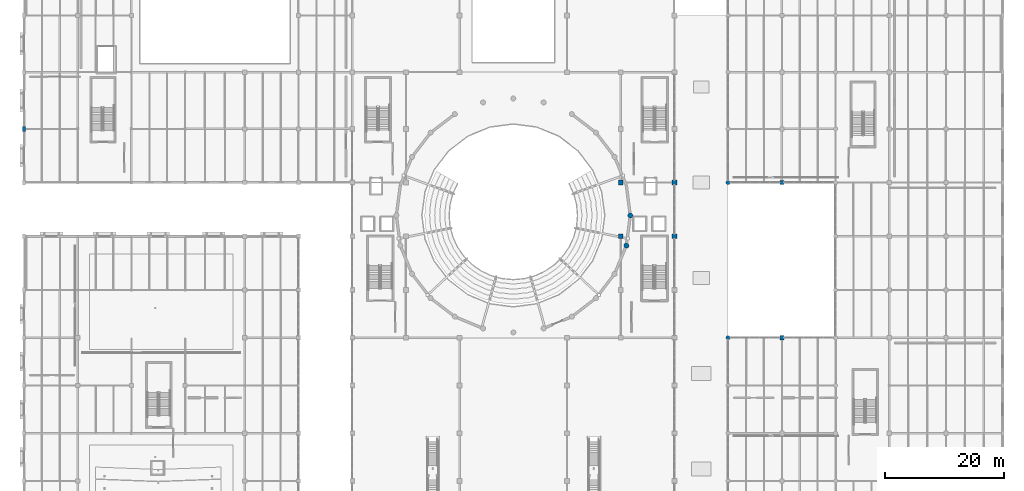
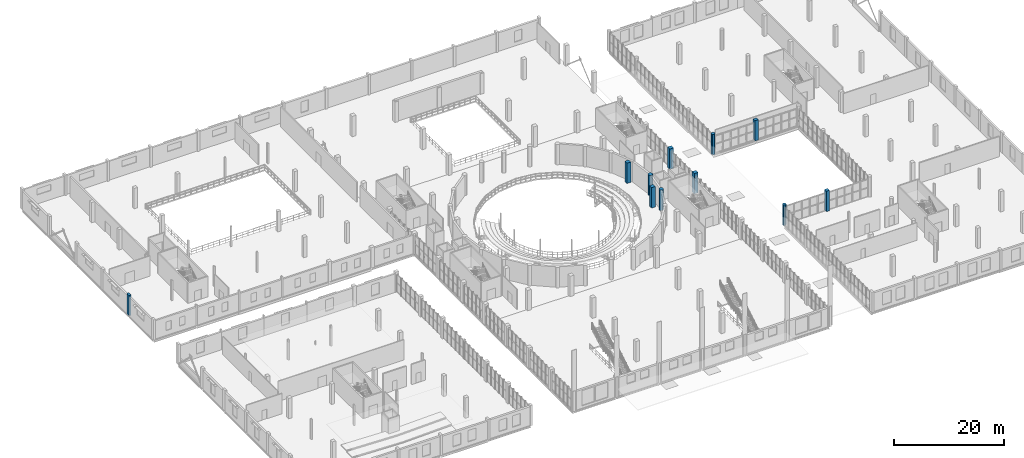
# One storey, part 12 of 93: 11 columns.
"""IFC4 building model written with IfcOpenShell, lengths in metres."""

import ifcopenshell
import ifcopenshell.guid

model = None  # the IFC model being written
_history = None  # IfcOwnerHistory: only IFC2X3 demands one
_inside = {}  # id of a spatial element -> (the spatial element, [elements in it])
_under = {}  # id of a project, library or spatial element -> (it, [spatial elements below it])
_declared = {}  # id of a project -> (the project, [libraries it declares])
_typed = {}  # id of a type object -> (the type object, [elements of that type])
_made_of = {}  # id of a material, layer set ... -> (it, [elements and type objects made of it])


def new_model(schema):
    """Start an empty IFC model of exactly this schema.

    Asked for "IFC4X3", IfcOpenShell would pick the latest addendum, in which some entities
    have other attributes; the version numbers below select the first issue.
    IFC2X3 requires an IfcOwnerHistory on every rooted entity: one is made here for all.
    """
    global model, _history
    if schema == "IFC4X3":
        model = ifcopenshell.file(schema_version=(4, 3, 0, 0))
    else:
        model = ifcopenshell.file(schema=schema)
    _inside.clear()
    _under.clear()
    _declared.clear()
    _typed.clear()
    _made_of.clear()
    _history = None
    if model.schema == "IFC2X3":
        org = make("IfcOrganization", Name="unknown")
        user = make(
            "IfcPersonAndOrganization",
            ThePerson=make("IfcPerson", FamilyName="unknown"),
            TheOrganization=org,
        )
        app = make(
            "IfcApplication",
            ApplicationDeveloper=org,
            Version="unknown",
            ApplicationFullName="unknown",
            ApplicationIdentifier="unknown",
        )
        _history = make(
            "IfcOwnerHistory",
            OwningUser=user,
            OwningApplication=app,
            ChangeAction="ADDED",
            CreationDate=0,
        )
    return model


def make(cls, **values):
    """One entity of the class cls with the attributes given. An attribute that is None is left unset."""
    return model.create_entity(
        cls, **{name: value for name, value in values.items() if value is not None}
    )


def rooted(cls, **values):
    """An entity with a GlobalId (a new one), such as an element, a storey or a relation."""
    return make(cls, GlobalId=ifcopenshell.guid.new(), OwnerHistory=_history, **values)


def si_unit(unit_type, name, prefix=None):
    """IfcSIUnit, for example si_unit("LENGTHUNIT", "METRE", prefix="MILLI")."""
    return make("IfcSIUnit", UnitType=unit_type, Prefix=prefix, Name=name)


def assignment(units):
    """IfcUnitAssignment: the units of a project."""
    return None if units is None else make("IfcUnitAssignment", Units=units)


def point(xyz):
    """IfcCartesianPoint."""
    return None if xyz is None else make("IfcCartesianPoint", Coordinates=xyz)


def direction(xyz):
    """IfcDirection."""
    return None if xyz is None else make("IfcDirection", DirectionRatios=xyz)


def frame(location, z_axis=None, x_axis=None):
    """IfcAxis2Placement3D, a coordinate frame: its origin and axes. An axis left out is left unset."""
    return make(
        "IfcAxis2Placement3D",
        Location=point(location),
        Axis=direction(z_axis),
        RefDirection=direction(x_axis),
    )


def frame_2d(location, x_axis=None):
    """IfcAxis2Placement2D, a coordinate frame in the plane: its origin and x axis."""
    return make(
        "IfcAxis2Placement2D", Location=point(location), RefDirection=direction(x_axis)
    )


def origin():
    """The frame at (0, 0, 0) with its axes left unset."""
    return frame((0.0, 0.0, 0.0))


def origin_2d():
    """The frame at (0, 0) in the plane with its x axis left unset."""
    return frame_2d((0.0, 0.0))


def place(relative_to, where):
    """IfcLocalPlacement: puts the frame where relative to a parent placement (None: the world)."""
    return make(
        "IfcLocalPlacement", PlacementRelTo=relative_to, RelativePlacement=where
    )


def context(
    kind, dimensions, precision=None, world=None, true_north=None, identifier=None
):
    """IfcGeometricRepresentationContext, for example the 3D "Model" context."""
    return make(
        "IfcGeometricRepresentationContext",
        ContextIdentifier=identifier,
        ContextType=kind,
        CoordinateSpaceDimension=dimensions,
        Precision=precision,
        WorldCoordinateSystem=world,
        TrueNorth=true_north,
    )


def subcontext(parent, identifier, kind, view, scale=None):
    """IfcGeometricRepresentationSubContext, for example "Body" below "Model"."""
    return make(
        "IfcGeometricRepresentationSubContext",
        ContextIdentifier=identifier,
        ContextType=kind,
        ParentContext=parent,
        TargetScale=scale,
        TargetView=view,
    )


def project(units=None, contexts=None):
    """IfcProject with its units and contexts."""
    return rooted(
        "IfcProject",
        Name="project",
        RepresentationContexts=contexts,
        UnitsInContext=assignment(units),
    )


def spatial(cls, under=None, at=None, **own):
    """A site, building, storey or space (cls), placed at a placement, below another one or the project."""
    s = rooted(cls, ObjectPlacement=at, **own)
    if under is not None:
        _under.setdefault(under.id(), (under, []))[1].append(s)
    return s


def profile(cls, at=None, kind="AREA", **sizes):
    """A parametric profile (cls). Its sizes go by their IFC names, for example OverallWidth=200.0."""
    return make(cls, ProfileType=kind, Position=at, **sizes)


def rectangle(**sizes):
    """IfcRectangleProfileDef."""
    return profile("IfcRectangleProfileDef", **sizes)


def circle(**sizes):
    """IfcCircleProfileDef."""
    return profile("IfcCircleProfileDef", **sizes)


def extrude(swept, where, along, depth):
    """IfcExtrudedAreaSolid: the profile swept, set in the frame where, extruded along a direction by depth."""
    return make(
        "IfcExtrudedAreaSolid",
        SweptArea=swept,
        Position=where,
        ExtrudedDirection=direction(along),
        Depth=depth,
    )


def shape(context_of_items, identifier, shape_type, items):
    """IfcShapeRepresentation: the items that make up one representation, for example the "Body"."""
    return make(
        "IfcShapeRepresentation",
        ContextOfItems=context_of_items,
        RepresentationIdentifier=identifier,
        RepresentationType=shape_type,
        Items=items,
    )


def material(Name=None, Category=None):
    """IfcMaterial."""
    return make("IfcMaterial", Name=Name, Category=Category)


def material_profile(
    of_material, cross_section, Name=None, Category=None, Priority=None
):
    """IfcMaterialProfile: a cross section and its material."""
    return make(
        "IfcMaterialProfile",
        Name=Name,
        Material=of_material,
        Profile=cross_section,
        Priority=Priority,
        Category=Category,
    )


def profile_set(profiles, Name=None, composite=None):
    """IfcMaterialProfileSet."""
    return make(
        "IfcMaterialProfileSet",
        Name=Name,
        MaterialProfiles=profiles,
        CompositeProfile=composite,
    )


def made_of(thing, what):
    """Note that an element or type object is made of a material, layer set ...; save() writes the relation."""
    if what is not None:
        _made_of.setdefault(what.id(), (what, []))[1].append(thing)
    return thing


def type_object(cls, material=None, **own):
    """A type object (cls), such as IfcWallType, which elements share."""
    return made_of(rooted(cls, **own), material)


def element(
    cls,
    number,
    at=None,
    inside=None,
    cuts=None,
    type_object=None,
    material=None,
    context=None,
    identifier="Body",
    shape_type=None,
    held_by="IfcProductDefinitionShape",
    body=None,
    shapes=None,
    **own,
):
    """One element of the class cls, such as IfcWall. Its Tag is "e" and its number.

    at: its placement. inside: the storey or other place that contains it. cuts: it is an
    opening in that element (IfcRelVoidsElement). A single representation is given by context,
    identifier, shape_type and body (its items); several are given by shapes. held_by: the class
    of the entity that holds the representations. save() writes the other relations.
    """
    e = rooted(cls, Tag="e%d" % number, ObjectPlacement=at, **own)
    if body is not None:
        shapes = [shape(context, identifier, shape_type, body)]
    if shapes is not None:
        e.Representation = make(held_by, Representations=shapes)
    if inside is not None:
        _inside.setdefault(inside.id(), (inside, []))[1].append(e)
    if cuts is not None:
        rooted(
            "IfcRelVoidsElement", RelatingBuildingElement=cuts, RelatedOpeningElement=e
        )
    if type_object is not None:
        _typed.setdefault(type_object.id(), (type_object, []))[1].append(e)
    return made_of(e, material)


def aggregate(whole, parts):
    """IfcRelAggregates: a whole, such as a stair, and the parts it consists of."""
    return rooted("IfcRelAggregates", RelatingObject=whole, RelatedObjects=parts)


def save(model, path):
    """Write the relations noted so far, then the file.

    IfcRelAggregates (storeys below a building ...), IfcRelContainedInSpatialStructure (elements
    in a storey), IfcRelDefinesByType, IfcRelAssociatesMaterial and IfcRelDeclares: one each for
    every whole, place, type object, material and project.
    """
    for whole, parts in _under.values():
        aggregate(whole, parts)
    for where, things in _inside.values():
        rooted(
            "IfcRelContainedInSpatialStructure",
            RelatedElements=things,
            RelatingStructure=where,
        )
    for kind, things in _typed.values():
        rooted("IfcRelDefinesByType", RelatedObjects=things, RelatingType=kind)
    for what, things in _made_of.values():
        rooted("IfcRelAssociatesMaterial", RelatedObjects=things, RelatingMaterial=what)
    for by, libraries in _declared.values():
        rooted("IfcRelDeclares", RelatingContext=by, RelatedDefinitions=libraries)
    model.write(path)


model = new_model("IFC4")

# Units and contexts
model_context = context("Model", 3, precision=1e-05, world=origin(), true_north=direction((0.0, 1.0)))
body_context = subcontext(model_context, "Body", "Model", "MODEL_VIEW")
ifc_project = project(units=[si_unit("LENGTHUNIT", "METRE"), si_unit("AREAUNIT", "SQUARE_METRE"), si_unit("VOLUMEUNIT", "CUBIC_METRE"), si_unit("PLANEANGLEUNIT", "RADIAN"), si_unit("MASSUNIT", "GRAM", prefix="KILO")], contexts=[model_context])

# Site, building, storey
site_placement = place(None, origin())
site = spatial("IfcSite", under=ifc_project, at=site_placement, CompositionType="ELEMENT")
building_placement = place(site_placement, origin())
building = spatial("IfcBuilding", under=site, at=building_placement, Name="Marnock Terrace Opera House", CompositionType="ELEMENT")
storey_placement = place(building_placement, frame((0.0, 0.0, 5.39990234375)))
storey = spatial("IfcBuildingStorey", under=building, at=storey_placement, Name="L01", CompositionType="ELEMENT", Elevation=5.39990234375)

# Columns
ifc_material_1 = material(Name="Concrete N50 (f'c = 50 MPa)", Category="concrete")
ifc_material_profile_1 = material_profile(ifc_material_1, circle(Radius=0.425048828125, at=origin_2d()))
ifc_profile_set_1 = profile_set([ifc_material_profile_1], Name="Concrete N50 (f'c = 50 MPa)")
column_type_1 = type_object("IfcColumnType", Name="COL-DRUM-850", PredefinedType="COLUMN", material=ifc_profile_set_1)
for number, where, z_axis, x_axis, name in (
    (1, (101.60009765625, 60.5, 0.0), (0.0, 0.0, 1.0), (1.0, 0.0, 0.0), "L01 auditorium drum pier 1"),
    (2, (100.931884765625, 55.427001953125, 0.0), (0.0, 0.0, 1.0), (1.0, 0.0, 0.0), "L01 auditorium drum pier 24"),
):
    element("IfcColumn", number, at=place(storey_placement, frame(where, z_axis=z_axis, x_axis=x_axis)), inside=storey, type_object=column_type_1, Name=name, PredefinedType="COLUMN", context=body_context, shape_type="SweptSolid", body=[
        extrude(circle(Radius=0.425048828125, at=origin_2d()), origin(), (0.0, 0.0, 1.0), 4.5400390625),
    ])
ifc_material_2 = material(Name="Concrete N40 (f'c = 40 MPa)", Category="concrete")
ifc_material_profile_2 = material_profile(ifc_material_2, circle(Radius=0.35009765625, at=origin_2d()))
ifc_profile_set_2 = profile_set([ifc_material_profile_2], Name="Concrete N40 (f'c = 40 MPa)")
column_type_2 = type_object("IfcColumnType", Name="COL-LOGGIA-700", PredefinedType="COLUMN", material=ifc_profile_set_2)
for number, where, z_axis, x_axis, name in (
    (3, (118.0, 40.0, 0.0), (0.0, 0.0, 1.0), (1.0, 0.0, 0.0), "L01 column at (118.0, 40.0)"),
    (4, (118.0, 66.0, 0.0), (0.0, 0.0, 1.0), (1.0, 0.0, 0.0), "L01 column at (118.0, 66.0)"),
):
    element("IfcColumn", number, at=place(storey_placement, frame(where, z_axis=z_axis, x_axis=x_axis)), inside=storey, type_object=column_type_2, Name=name, PredefinedType="COLUMN", context=body_context, shape_type="SweptSolid", body=[
        extrude(circle(Radius=0.35009765625, at=origin_2d()), origin(), (0.0, 0.0, 1.0), 4.5400390625),
    ])
ifc_material_profile_3 = material_profile(ifc_material_2, rectangle(XDim=0.449951171875, YDim=0.800048828125, at=origin_2d()))
ifc_profile_set_3 = profile_set([ifc_material_profile_3], Name="Concrete N40 (f'c = 40 MPa)")
column_type_3 = type_object("IfcColumnType", Name="COL-PIL-800", PredefinedType="PILASTER", material=ifc_profile_set_3)
column_placement = place(storey_placement, frame((0.0, 75.0, 0.0), z_axis=(0.0, 0.0, 1.0), x_axis=(1.0, 0.0, 0.0)))
element("IfcColumn", 5, at=column_placement, inside=storey, type_object=column_type_3, Name="L01 column at (0.0, 75.0)", PredefinedType="PILASTER", context=body_context, shape_type="SweptSolid", body=[
    extrude(rectangle(XDim=0.449951171875, YDim=0.800048828125, at=origin_2d()), origin(), (0.0, 0.0, 1.0), 4.5400390625),
])
ifc_material_profile_4 = material_profile(ifc_material_2, rectangle(XDim=0.699951171875, YDim=0.699951171875, at=origin_2d()))
ifc_profile_set_4 = profile_set([ifc_material_profile_4], Name="Concrete N40 (f'c = 40 MPa)")
column_type_4 = type_object("IfcColumnType", Name="COL-RC700", PredefinedType="COLUMN", material=ifc_profile_set_4)
for number, where, z_axis, x_axis, name in (
    (6, (127.0, 40.0, 0.0), (0.0, 0.0, 1.0), (1.0, 0.0, 0.0), "L01 column at (127.0, 40.0)"),
    (7, (127.0, 66.0, 0.0), (0.0, 0.0, 1.0), (1.0, 0.0, 0.0), "L01 column at (127.0, 66.0)"),
):
    element("IfcColumn", number, at=place(storey_placement, frame(where, z_axis=z_axis, x_axis=x_axis)), inside=storey, type_object=column_type_4, Name=name, PredefinedType="COLUMN", context=body_context, shape_type="SweptSolid", body=[
        extrude(rectangle(XDim=0.699951171875, YDim=0.699951171875, at=origin_2d()), origin(), (0.0, 0.0, 1.0), 4.5400390625),
    ])
ifc_material_profile_5 = material_profile(ifc_material_1, rectangle(XDim=0.800048828125, YDim=0.800048828125, at=origin_2d()))
ifc_profile_set_5 = profile_set([ifc_material_profile_5], Name="Concrete N50 (f'c = 50 MPa)")
column_type_5 = type_object("IfcColumnType", Name="COL-RC800", PredefinedType="COLUMN", material=ifc_profile_set_5)
for number, where, z_axis, x_axis, name in (
    (8, (100.0, 57.0, 0.0), (0.0, 0.0, 1.0), (1.0, 0.0, 0.0), "L01 column at (100.0, 57.0)"),
    (9, (100.0, 66.0, 0.0), (0.0, 0.0, 1.0), (1.0, 0.0, 0.0), "L01 column at (100.0, 66.0)"),
    (10, (109.0, 57.0, 0.0), (0.0, 0.0, 1.0), (1.0, 0.0, 0.0), "L01 column at (109.0, 57.0)"),
    (11, (109.0, 66.0, 0.0), (0.0, 0.0, 1.0), (1.0, 0.0, 0.0), "L01 column at (109.0, 66.0)"),
):
    element("IfcColumn", number, at=place(storey_placement, frame(where, z_axis=z_axis, x_axis=x_axis)), inside=storey, type_object=column_type_5, Name=name, PredefinedType="COLUMN", context=body_context, shape_type="SweptSolid", body=[
        extrude(rectangle(XDim=0.800048828125, YDim=0.800048828125, at=origin_2d()), origin(), (0.0, 0.0, 1.0), 4.5400390625),
    ])

save(model, "model.ifc")
